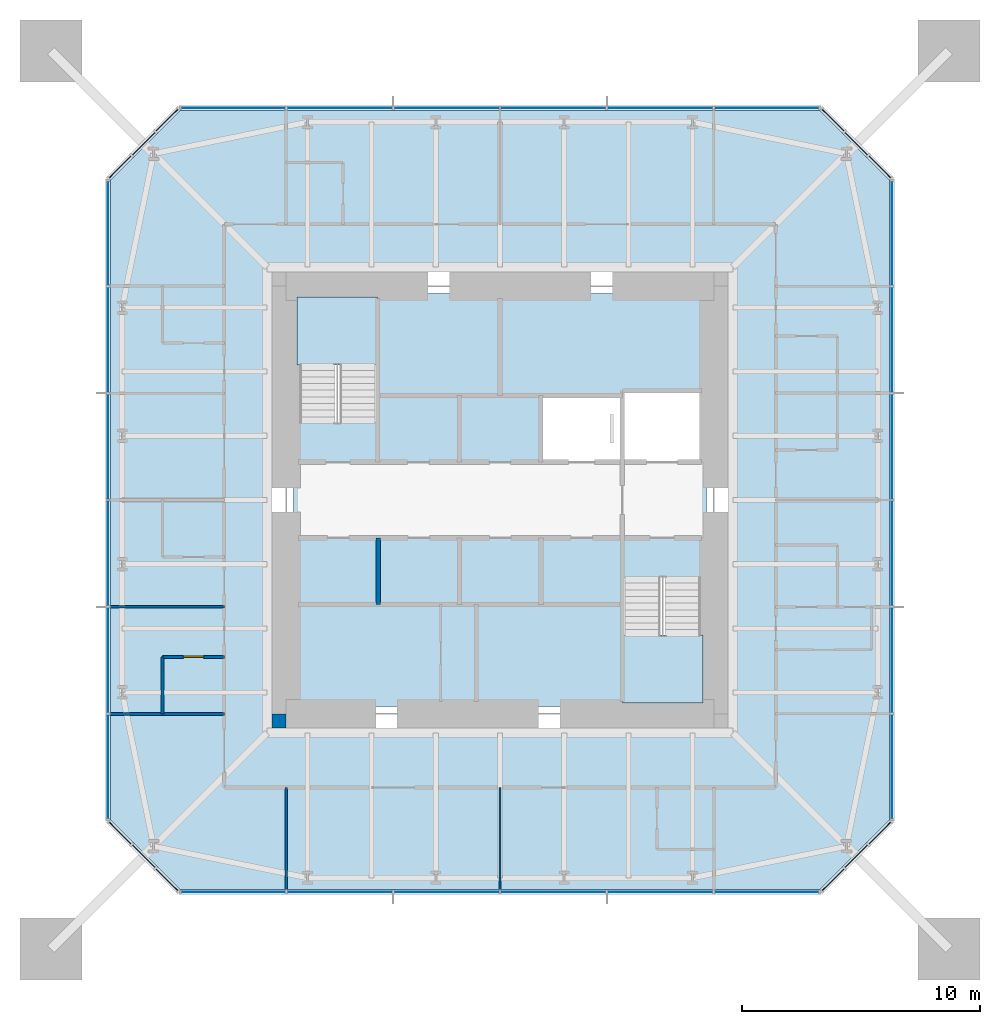
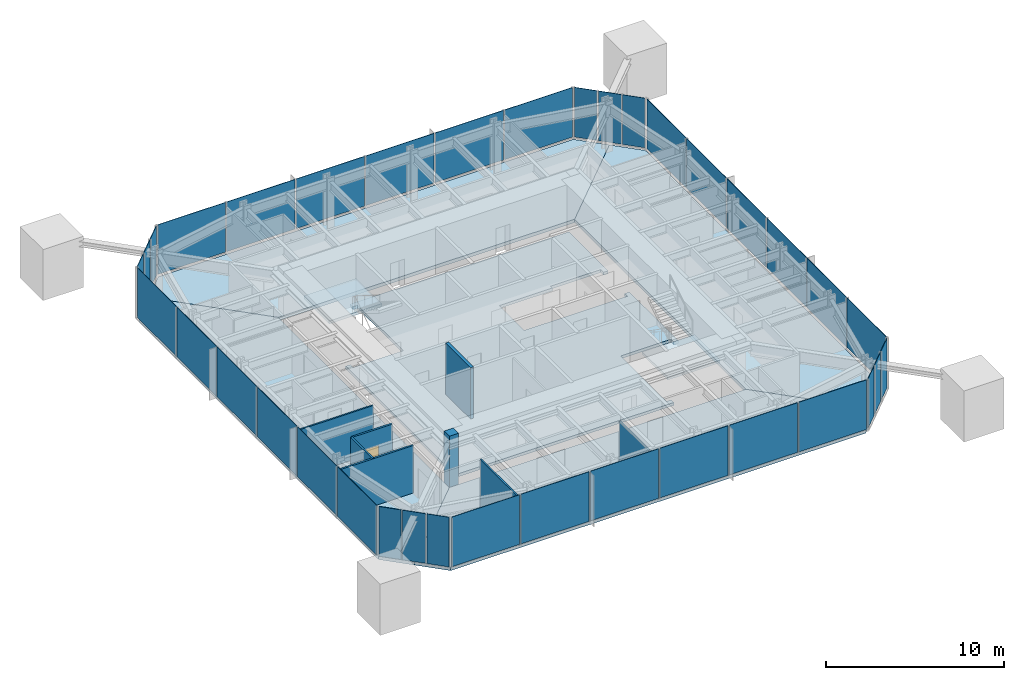
# One storey, part 5 of 9: 36 plates, 8 walls, 7 slabs, 1 door, 1 opening, 10 elements without a shape of their own.
"""IFC4 building model written with IfcOpenShell, lengths in metres."""

from ifc_helpers import new_model, si_unit, direction, frame, frame_2d, origin, origin_2d, place, context, subcontext, project, spatial, polyline, rectangle, outline, extrude, material, layer, layer_set, constituent, constituent_set, type_object, element, fill, aggregate, save


model = new_model("IFC4")

# Units and contexts
model_context = context("Model", 3, precision=1e-05, world=origin(), true_north=direction((0.0, 1.0)))
body_context = subcontext(model_context, "Body", "Model", "MODEL_VIEW")
ifc_project = project(units=[si_unit("LENGTHUNIT", "METRE"), si_unit("AREAUNIT", "SQUARE_METRE"), si_unit("VOLUMEUNIT", "CUBIC_METRE"), si_unit("PLANEANGLEUNIT", "RADIAN"), si_unit("MASSUNIT", "GRAM", prefix="KILO")], contexts=[model_context])

# Site, building, storey
site_placement = place(None, origin())
site = spatial("IfcSite", under=ifc_project, at=site_placement, CompositionType="ELEMENT")
building_placement = place(site_placement, origin())
building = spatial("IfcBuilding", under=site, at=building_placement, Name="Iwan Alto Co-Living Towers", CompositionType="ELEMENT")
storey_placement = place(building_placement, frame((0.0, 0.0, 264.0)))
storey = spatial("IfcBuildingStorey", under=building, at=storey_placement, Name="L72", CompositionType="ELEMENT", Elevation=264.0)

# Slab
ifc_material_1 = material(Name="Concrete f'c 30 MPa", Category="concrete")
ifc_layer_1 = layer(ifc_material_1, 0.199951171875)
ifc_layer_set_1 = layer_set([ifc_layer_1], Name="CORE FLOOR SLAB 200")
slab_type_1 = type_object("IfcSlabType", Name="CORE FLOOR SLAB 200", PredefinedType="FLOOR", material=ifc_layer_set_1)
slab_1_placement = place(storey_placement, frame((0.0, 0.0, -0.199951171875)))
element("IfcSlab", 1, at=slab_1_placement, inside=storey, type_object=slab_type_1, Name="T1 core floor L72", PredefinedType="FLOOR", context=body_context, shape_type="SweptSolid", body=[
    extrude(outline(polyline([(-8.699951171875, 3.580078125), (-8.39990234375, 3.580078125), (-8.39990234375, 3.27001953125), (-5.14990234375, 3.27001953125), (-5.14990234375, 8.39990234375), (-5.4599609375, 8.39990234375), (-5.4599609375, 8.699951171875), (8.699951171875, 8.699951171875), (8.699951171875, 4.2900390625), (8.39990234375, 4.2900390625), (8.39990234375, 4.60009765625), (5.14990234375, 4.60009765625), (5.14990234375, 4.39990234375), (1.717041015625, 4.39990234375), (1.717041015625, 1.60009765625), (5.14990234375, 1.60009765625), (8.39990234375, 1.60009765625), (8.39990234375, 1.909912109375), (8.699951171875, 1.909912109375), (8.699951171875, -3.580078125), (8.39990234375, -3.580078125), (8.39990234375, -3.27001953125), (5.14990234375, -3.27001953125), (5.14990234375, -8.39990234375), (5.4599609375, -8.39990234375), (5.4599609375, -8.699951171875), (-8.699951171875, -8.699951171875), (-8.699951171875, 3.580078125)])), origin(), (0.0, 0.0, 1.0), 0.199951171875),
])

# Curtain wall, plates
ifc_material_2 = material(Name="Bronze aluminium unitised frame", Category="aluminium")
curtain_wall_type_1 = type_object("IfcCurtainWallType", Name="CURTAIN WALL CW-A", PredefinedType="NOTDEFINED", material=ifc_material_2)
curtain_wall_1_placement = place(storey_placement, origin())
curtain_wall_1 = element("IfcCurtainWall", 2, at=curtain_wall_1_placement, inside=storey, type_object=curtain_wall_type_1, Name="T1 curtain wall S L72", PredefinedType="NOTDEFINED")
ifc_material_3 = material(Name="Bronze-tinted insulating glass", Category="glass")
ifc_layer_2 = layer(ifc_material_3, 0.031982421875)
ifc_layer_set_2 = layer_set([ifc_layer_2], Name="CW-A PANEL TINTED IGU 32")
plate_type_1 = type_object("IfcPlateType", Name="CW-A PANEL TINTED IGU 32", PredefinedType="CURTAIN_PANEL", material=ifc_layer_set_2)
plate_1_placement = place(storey_placement, frame((-11.22998046875, -16.5, 0.10009765625), z_axis=(0.0, 0.0, 1.0), x_axis=(1.0, 0.0, 0.0)))
plate_1 = element("IfcPlate", 3, at=plate_1_placement, type_object=plate_type_1, Name="CW-A panel 1.1", PredefinedType="CURTAIN_PANEL", context=body_context, shape_type="SweptSolid", body=[
    extrude(rectangle(XDim=4.3798828125, YDim=0.031982421875, at=origin_2d()), origin(), (0.0, 0.0, 1.0), 3.39990234375),
])
plate_2_placement = place(storey_placement, frame((-6.75, -16.5, 0.10009765625), z_axis=(0.0, 0.0, 1.0), x_axis=(1.0, 0.0, 0.0)))
plate_2 = element("IfcPlate", 4, at=plate_2_placement, type_object=plate_type_1, Name="CW-A panel 2.1", PredefinedType="CURTAIN_PANEL", context=body_context, shape_type="SweptSolid", body=[
    extrude(rectangle(XDim=4.419921875, YDim=0.031982421875, at=origin_2d()), origin(), (0.0, 0.0, 1.0), 3.39990234375),
])
plate_3_placement = place(storey_placement, frame((-2.25, -16.5, 0.10009765625), z_axis=(0.0, 0.0, 1.0), x_axis=(1.0, 0.0, 0.0)))
plate_3 = element("IfcPlate", 5, at=plate_3_placement, type_object=plate_type_1, Name="CW-A panel 3.1", PredefinedType="CURTAIN_PANEL", context=body_context, shape_type="SweptSolid", body=[
    extrude(rectangle(XDim=4.419921875, YDim=0.031982421875, at=origin_2d()), origin(), (0.0, 0.0, 1.0), 3.39990234375),
])
plate_4_placement = place(storey_placement, frame((2.25, -16.5, 0.10009765625), z_axis=(0.0, 0.0, 1.0), x_axis=(1.0, 0.0, 0.0)))
plate_4 = element("IfcPlate", 6, at=plate_4_placement, type_object=plate_type_1, Name="CW-A panel 4.1", PredefinedType="CURTAIN_PANEL", context=body_context, shape_type="SweptSolid", body=[
    extrude(rectangle(XDim=4.419921875, YDim=0.031982421875, at=origin_2d()), origin(), (0.0, 0.0, 1.0), 3.39990234375),
])
plate_5_placement = place(storey_placement, frame((6.75, -16.5, 0.10009765625), z_axis=(0.0, 0.0, 1.0), x_axis=(1.0, 0.0, 0.0)))
plate_5 = element("IfcPlate", 7, at=plate_5_placement, type_object=plate_type_1, Name="CW-A panel 5.1", PredefinedType="CURTAIN_PANEL", context=body_context, shape_type="SweptSolid", body=[
    extrude(rectangle(XDim=4.419921875, YDim=0.031982421875, at=origin_2d()), origin(), (0.0, 0.0, 1.0), 3.39990234375),
])
plate_6_placement = place(storey_placement, frame((11.22998046875, -16.5, 0.10009765625), z_axis=(0.0, 0.0, 1.0), x_axis=(1.0, 0.0, 0.0)))
plate_6 = element("IfcPlate", 8, at=plate_6_placement, type_object=plate_type_1, Name="CW-A panel 6.1", PredefinedType="CURTAIN_PANEL", context=body_context, shape_type="SweptSolid", body=[
    extrude(rectangle(XDim=4.3798828125, YDim=0.031982421875, at=origin_2d()), origin(), (0.0, 0.0, 1.0), 3.39990234375),
])
aggregate(curtain_wall_1, [plate_1, plate_2, plate_3, plate_4, plate_5, plate_6])

curtain_wall_2_placement = place(storey_placement, origin())
curtain_wall_2 = element("IfcCurtainWall", 9, at=curtain_wall_2_placement, inside=storey, type_object=curtain_wall_type_1, Name="T1 curtain wall E L72", PredefinedType="NOTDEFINED")
plate_7_placement = place(storey_placement, frame((16.5, -11.22998046875, 0.10009765625), z_axis=(0.0, 0.0, 1.0), x_axis=(0.0, 1.0, 0.0)))
plate_7 = element("IfcPlate", 10, at=plate_7_placement, type_object=plate_type_1, Name="CW-A panel 1.1", PredefinedType="CURTAIN_PANEL", context=body_context, shape_type="SweptSolid", body=[
    extrude(rectangle(XDim=4.3798828125, YDim=0.031982421875, at=origin_2d()), origin(), (0.0, 0.0, 1.0), 3.39990234375),
])
plate_8_placement = place(storey_placement, frame((16.5, -6.75, 0.10009765625), z_axis=(0.0, 0.0, 1.0), x_axis=(0.0, 1.0, 0.0)))
plate_8 = element("IfcPlate", 11, at=plate_8_placement, type_object=plate_type_1, Name="CW-A panel 2.1", PredefinedType="CURTAIN_PANEL", context=body_context, shape_type="SweptSolid", body=[
    extrude(rectangle(XDim=4.419921875, YDim=0.031982421875, at=origin_2d()), origin(), (0.0, 0.0, 1.0), 3.39990234375),
])
plate_9_placement = place(storey_placement, frame((16.5, -2.25, 0.10009765625), z_axis=(0.0, 0.0, 1.0), x_axis=(0.0, 1.0, 0.0)))
plate_9 = element("IfcPlate", 12, at=plate_9_placement, type_object=plate_type_1, Name="CW-A panel 3.1", PredefinedType="CURTAIN_PANEL", context=body_context, shape_type="SweptSolid", body=[
    extrude(rectangle(XDim=4.419921875, YDim=0.031982421875, at=origin_2d()), origin(), (0.0, 0.0, 1.0), 3.39990234375),
])
plate_10_placement = place(storey_placement, frame((16.5, 2.25, 0.10009765625), z_axis=(0.0, 0.0, 1.0), x_axis=(0.0, 1.0, 0.0)))
plate_10 = element("IfcPlate", 13, at=plate_10_placement, type_object=plate_type_1, Name="CW-A panel 4.1", PredefinedType="CURTAIN_PANEL", context=body_context, shape_type="SweptSolid", body=[
    extrude(rectangle(XDim=4.419921875, YDim=0.031982421875, at=origin_2d()), origin(), (0.0, 0.0, 1.0), 3.39990234375),
])
plate_11_placement = place(storey_placement, frame((16.5, 6.75, 0.10009765625), z_axis=(0.0, 0.0, 1.0), x_axis=(0.0, 1.0, 0.0)))
plate_11 = element("IfcPlate", 14, at=plate_11_placement, type_object=plate_type_1, Name="CW-A panel 5.1", PredefinedType="CURTAIN_PANEL", context=body_context, shape_type="SweptSolid", body=[
    extrude(rectangle(XDim=4.419921875, YDim=0.031982421875, at=origin_2d()), origin(), (0.0, 0.0, 1.0), 3.39990234375),
])
plate_12_placement = place(storey_placement, frame((16.5, 11.22998046875, 0.10009765625), z_axis=(0.0, 0.0, 1.0), x_axis=(0.0, 1.0, 0.0)))
plate_12 = element("IfcPlate", 15, at=plate_12_placement, type_object=plate_type_1, Name="CW-A panel 6.1", PredefinedType="CURTAIN_PANEL", context=body_context, shape_type="SweptSolid", body=[
    extrude(rectangle(XDim=4.3798828125, YDim=0.031982421875, at=origin_2d()), origin(), (0.0, 0.0, 1.0), 3.39990234375),
])
aggregate(curtain_wall_2, [plate_7, plate_8, plate_9, plate_10, plate_11, plate_12])

curtain_wall_3_placement = place(storey_placement, origin())
curtain_wall_3 = element("IfcCurtainWall", 16, at=curtain_wall_3_placement, inside=storey, type_object=curtain_wall_type_1, Name="T1 curtain wall N L72", PredefinedType="NOTDEFINED")
plate_13_placement = place(storey_placement, frame((11.22998046875, 16.5, 0.10009765625), z_axis=(0.0, 0.0, 1.0), x_axis=(-1.0, 0.0, 0.0)))
plate_13 = element("IfcPlate", 17, at=plate_13_placement, type_object=plate_type_1, Name="CW-A panel 1.1", PredefinedType="CURTAIN_PANEL", context=body_context, shape_type="SweptSolid", body=[
    extrude(rectangle(XDim=4.3798828125, YDim=0.031982421875, at=origin_2d()), origin(), (0.0, 0.0, 1.0), 3.39990234375),
])
plate_14_placement = place(storey_placement, frame((6.75, 16.5, 0.10009765625), z_axis=(0.0, 0.0, 1.0), x_axis=(-1.0, 0.0, 0.0)))
plate_14 = element("IfcPlate", 18, at=plate_14_placement, type_object=plate_type_1, Name="CW-A panel 2.1", PredefinedType="CURTAIN_PANEL", context=body_context, shape_type="SweptSolid", body=[
    extrude(rectangle(XDim=4.419921875, YDim=0.031982421875, at=origin_2d()), origin(), (0.0, 0.0, 1.0), 3.39990234375),
])
plate_15_placement = place(storey_placement, frame((2.25, 16.5, 0.10009765625), z_axis=(0.0, 0.0, 1.0), x_axis=(-1.0, 0.0, 0.0)))
plate_15 = element("IfcPlate", 19, at=plate_15_placement, type_object=plate_type_1, Name="CW-A panel 3.1", PredefinedType="CURTAIN_PANEL", context=body_context, shape_type="SweptSolid", body=[
    extrude(rectangle(XDim=4.419921875, YDim=0.031982421875, at=origin_2d()), origin(), (0.0, 0.0, 1.0), 3.39990234375),
])
plate_16_placement = place(storey_placement, frame((-2.25, 16.5, 0.10009765625), z_axis=(0.0, 0.0, 1.0), x_axis=(-1.0, 0.0, 0.0)))
plate_16 = element("IfcPlate", 20, at=plate_16_placement, type_object=plate_type_1, Name="CW-A panel 4.1", PredefinedType="CURTAIN_PANEL", context=body_context, shape_type="SweptSolid", body=[
    extrude(rectangle(XDim=4.419921875, YDim=0.031982421875, at=origin_2d()), origin(), (0.0, 0.0, 1.0), 3.39990234375),
])
plate_17_placement = place(storey_placement, frame((-6.75, 16.5, 0.10009765625), z_axis=(0.0, 0.0, 1.0), x_axis=(-1.0, 0.0, 0.0)))
plate_17 = element("IfcPlate", 21, at=plate_17_placement, type_object=plate_type_1, Name="CW-A panel 5.1", PredefinedType="CURTAIN_PANEL", context=body_context, shape_type="SweptSolid", body=[
    extrude(rectangle(XDim=4.419921875, YDim=0.031982421875, at=origin_2d()), origin(), (0.0, 0.0, 1.0), 3.39990234375),
])
plate_18_placement = place(storey_placement, frame((-11.22998046875, 16.5, 0.10009765625), z_axis=(0.0, 0.0, 1.0), x_axis=(-1.0, 0.0, 0.0)))
plate_18 = element("IfcPlate", 22, at=plate_18_placement, type_object=plate_type_1, Name="CW-A panel 6.1", PredefinedType="CURTAIN_PANEL", context=body_context, shape_type="SweptSolid", body=[
    extrude(rectangle(XDim=4.3798828125, YDim=0.031982421875, at=origin_2d()), origin(), (0.0, 0.0, 1.0), 3.39990234375),
])
aggregate(curtain_wall_3, [plate_13, plate_14, plate_15, plate_16, plate_17, plate_18])

curtain_wall_4_placement = place(storey_placement, origin())
curtain_wall_4 = element("IfcCurtainWall", 23, at=curtain_wall_4_placement, inside=storey, type_object=curtain_wall_type_1, Name="T1 curtain wall W L72", PredefinedType="NOTDEFINED")
plate_19_placement = place(storey_placement, frame((-16.5, 11.22998046875, 0.10009765625), z_axis=(0.0, 0.0, 1.0), x_axis=(0.0, -1.0, 0.0)))
plate_19 = element("IfcPlate", 24, at=plate_19_placement, type_object=plate_type_1, Name="CW-A panel 1.1", PredefinedType="CURTAIN_PANEL", context=body_context, shape_type="SweptSolid", body=[
    extrude(rectangle(XDim=4.3798828125, YDim=0.031982421875, at=origin_2d()), origin(), (0.0, 0.0, 1.0), 3.39990234375),
])
plate_20_placement = place(storey_placement, frame((-16.5, 6.75, 0.10009765625), z_axis=(0.0, 0.0, 1.0), x_axis=(0.0, -1.0, 0.0)))
plate_20 = element("IfcPlate", 25, at=plate_20_placement, type_object=plate_type_1, Name="CW-A panel 2.1", PredefinedType="CURTAIN_PANEL", context=body_context, shape_type="SweptSolid", body=[
    extrude(rectangle(XDim=4.419921875, YDim=0.031982421875, at=origin_2d()), origin(), (0.0, 0.0, 1.0), 3.39990234375),
])
plate_21_placement = place(storey_placement, frame((-16.5, 2.25, 0.10009765625), z_axis=(0.0, 0.0, 1.0), x_axis=(0.0, -1.0, 0.0)))
plate_21 = element("IfcPlate", 26, at=plate_21_placement, type_object=plate_type_1, Name="CW-A panel 3.1", PredefinedType="CURTAIN_PANEL", context=body_context, shape_type="SweptSolid", body=[
    extrude(rectangle(XDim=4.419921875, YDim=0.031982421875, at=origin_2d()), origin(), (0.0, 0.0, 1.0), 3.39990234375),
])
plate_22_placement = place(storey_placement, frame((-16.5, -2.25, 0.10009765625), z_axis=(0.0, 0.0, 1.0), x_axis=(0.0, -1.0, 0.0)))
plate_22 = element("IfcPlate", 27, at=plate_22_placement, type_object=plate_type_1, Name="CW-A panel 4.1", PredefinedType="CURTAIN_PANEL", context=body_context, shape_type="SweptSolid", body=[
    extrude(rectangle(XDim=4.419921875, YDim=0.031982421875, at=origin_2d()), origin(), (0.0, 0.0, 1.0), 3.39990234375),
])
plate_23_placement = place(storey_placement, frame((-16.5, -6.75, 0.10009765625), z_axis=(0.0, 0.0, 1.0), x_axis=(0.0, -1.0, 0.0)))
plate_23 = element("IfcPlate", 28, at=plate_23_placement, type_object=plate_type_1, Name="CW-A panel 5.1", PredefinedType="CURTAIN_PANEL", context=body_context, shape_type="SweptSolid", body=[
    extrude(rectangle(XDim=4.419921875, YDim=0.031982421875, at=origin_2d()), origin(), (0.0, 0.0, 1.0), 3.39990234375),
])
plate_24_placement = place(storey_placement, frame((-16.5, -11.22998046875, 0.10009765625), z_axis=(0.0, 0.0, 1.0), x_axis=(0.0, -1.0, 0.0)))
plate_24 = element("IfcPlate", 29, at=plate_24_placement, type_object=plate_type_1, Name="CW-A panel 6.1", PredefinedType="CURTAIN_PANEL", context=body_context, shape_type="SweptSolid", body=[
    extrude(rectangle(XDim=4.3798828125, YDim=0.031982421875, at=origin_2d()), origin(), (0.0, 0.0, 1.0), 3.39990234375),
])
aggregate(curtain_wall_4, [plate_19, plate_20, plate_21, plate_22, plate_23, plate_24])

ifc_material_4 = material(Name="Bronze aluminium unitised frame", Category="aluminium")
curtain_wall_type_2 = type_object("IfcCurtainWallType", Name="CURTAIN WALL CW-B", PredefinedType="NOTDEFINED", material=ifc_material_4)
curtain_wall_5_placement = place(storey_placement, origin())
curtain_wall_5 = element("IfcCurtainWall", 30, at=curtain_wall_5_placement, inside=storey, type_object=curtain_wall_type_2, Name="T1 chamfer curtain wall SE L72", PredefinedType="NOTDEFINED")
ifc_material_5 = material(Name="Bronze-tinted insulating glass", Category="glass")
ifc_layer_3 = layer(ifc_material_5, 0.031982421875)
ifc_layer_set_3 = layer_set([ifc_layer_3], Name="CW-B PANEL TINTED IGU 32")
plate_type_2 = type_object("IfcPlateType", Name="CW-B PANEL TINTED IGU 32", PredefinedType="CURTAIN_PANEL", material=ifc_layer_set_3)
plate_25_placement = place(storey_placement, frame((14.01416015625, -15.98583984375, 0.10009765625), z_axis=(0.0, 0.0, 1.0), x_axis=(0.707106781187, 0.707106781187, 0.0)))
plate_25 = element("IfcPlate", 31, at=plate_25_placement, type_object=plate_type_2, Name="CW-B panel 1.1", PredefinedType="CURTAIN_PANEL", context=body_context, shape_type="SweptSolid", body=[
    extrude(rectangle(XDim=1.294189453125, YDim=0.031982421875, at=origin_2d()), origin(), (0.0, 0.0, 1.0), 3.39990234375),
])
plate_26_placement = place(storey_placement, frame((15.0, -15.0, 0.10009765625), z_axis=(0.0, 0.0, 1.0), x_axis=(0.707106781187, 0.707106781187, 0.0)))
plate_26 = element("IfcPlate", 32, at=plate_26_placement, type_object=plate_type_2, Name="CW-B panel 2.1", PredefinedType="CURTAIN_PANEL", context=body_context, shape_type="SweptSolid", body=[
    extrude(rectangle(XDim=1.334228515625, YDim=0.031982421875, at=origin_2d()), origin(), (0.0, 0.0, 1.0), 3.39990234375),
])
plate_27_placement = place(storey_placement, frame((15.98583984375, -14.01416015625, 0.10009765625), z_axis=(0.0, 0.0, 1.0), x_axis=(0.707106781187, 0.707106781187, 0.0)))
plate_27 = element("IfcPlate", 33, at=plate_27_placement, type_object=plate_type_2, Name="CW-B panel 3.1", PredefinedType="CURTAIN_PANEL", context=body_context, shape_type="SweptSolid", body=[
    extrude(rectangle(XDim=1.294189453125, YDim=0.031982421875, at=origin_2d()), origin(), (0.0, 0.0, 1.0), 3.39990234375),
])
aggregate(curtain_wall_5, [plate_25, plate_26, plate_27])

curtain_wall_6_placement = place(storey_placement, origin())
curtain_wall_6 = element("IfcCurtainWall", 34, at=curtain_wall_6_placement, inside=storey, type_object=curtain_wall_type_2, Name="T1 chamfer curtain wall NE L72", PredefinedType="NOTDEFINED")
plate_28_placement = place(storey_placement, frame((15.98583984375, 14.01416015625, 0.10009765625), z_axis=(0.0, 0.0, 1.0), x_axis=(-0.707106781187, 0.707106781187, 0.0)))
plate_28 = element("IfcPlate", 35, at=plate_28_placement, type_object=plate_type_2, Name="CW-B panel 1.1", PredefinedType="CURTAIN_PANEL", context=body_context, shape_type="SweptSolid", body=[
    extrude(rectangle(XDim=1.294189453125, YDim=0.031982421875, at=origin_2d()), origin(), (0.0, 0.0, 1.0), 3.39990234375),
])
plate_29_placement = place(storey_placement, frame((15.0, 15.0, 0.10009765625), z_axis=(0.0, 0.0, 1.0), x_axis=(-0.707106781187, 0.707106781187, 0.0)))
plate_29 = element("IfcPlate", 36, at=plate_29_placement, type_object=plate_type_2, Name="CW-B panel 2.1", PredefinedType="CURTAIN_PANEL", context=body_context, shape_type="SweptSolid", body=[
    extrude(rectangle(XDim=1.334228515625, YDim=0.031982421875, at=origin_2d()), origin(), (0.0, 0.0, 1.0), 3.39990234375),
])
plate_30_placement = place(storey_placement, frame((14.01416015625, 15.98583984375, 0.10009765625), z_axis=(0.0, 0.0, 1.0), x_axis=(-0.707106781187, 0.707106781187, 0.0)))
plate_30 = element("IfcPlate", 37, at=plate_30_placement, type_object=plate_type_2, Name="CW-B panel 3.1", PredefinedType="CURTAIN_PANEL", context=body_context, shape_type="SweptSolid", body=[
    extrude(rectangle(XDim=1.294189453125, YDim=0.031982421875, at=origin_2d()), origin(), (0.0, 0.0, 1.0), 3.39990234375),
])
aggregate(curtain_wall_6, [plate_28, plate_29, plate_30])

curtain_wall_7_placement = place(storey_placement, origin())
curtain_wall_7 = element("IfcCurtainWall", 38, at=curtain_wall_7_placement, inside=storey, type_object=curtain_wall_type_2, Name="T1 chamfer curtain wall NW L72", PredefinedType="NOTDEFINED")
plate_31_placement = place(storey_placement, frame((-14.01416015625, 15.98583984375, 0.10009765625), z_axis=(0.0, 0.0, 1.0), x_axis=(-0.707106781187, -0.707106781187, 0.0)))
plate_31 = element("IfcPlate", 39, at=plate_31_placement, type_object=plate_type_2, Name="CW-B panel 1.1", PredefinedType="CURTAIN_PANEL", context=body_context, shape_type="SweptSolid", body=[
    extrude(rectangle(XDim=1.294189453125, YDim=0.031982421875, at=origin_2d()), origin(), (0.0, 0.0, 1.0), 3.39990234375),
])
plate_32_placement = place(storey_placement, frame((-15.0, 15.0, 0.10009765625), z_axis=(0.0, 0.0, 1.0), x_axis=(-0.707106781187, -0.707106781187, 0.0)))
plate_32 = element("IfcPlate", 40, at=plate_32_placement, type_object=plate_type_2, Name="CW-B panel 2.1", PredefinedType="CURTAIN_PANEL", context=body_context, shape_type="SweptSolid", body=[
    extrude(rectangle(XDim=1.334228515625, YDim=0.031982421875, at=origin_2d()), origin(), (0.0, 0.0, 1.0), 3.39990234375),
])
plate_33_placement = place(storey_placement, frame((-15.98583984375, 14.01416015625, 0.10009765625), z_axis=(0.0, 0.0, 1.0), x_axis=(-0.707106781187, -0.707106781187, 0.0)))
plate_33 = element("IfcPlate", 41, at=plate_33_placement, type_object=plate_type_2, Name="CW-B panel 3.1", PredefinedType="CURTAIN_PANEL", context=body_context, shape_type="SweptSolid", body=[
    extrude(rectangle(XDim=1.294189453125, YDim=0.031982421875, at=origin_2d()), origin(), (0.0, 0.0, 1.0), 3.39990234375),
])
aggregate(curtain_wall_7, [plate_31, plate_32, plate_33])

curtain_wall_8_placement = place(storey_placement, origin())
curtain_wall_8 = element("IfcCurtainWall", 42, at=curtain_wall_8_placement, inside=storey, type_object=curtain_wall_type_2, Name="T1 chamfer curtain wall SW L72", PredefinedType="NOTDEFINED")
plate_34_placement = place(storey_placement, frame((-15.98583984375, -14.01416015625, 0.10009765625), z_axis=(0.0, 0.0, 1.0), x_axis=(0.707106781187, -0.707106781187, 0.0)))
plate_34 = element("IfcPlate", 43, at=plate_34_placement, type_object=plate_type_2, Name="CW-B panel 1.1", PredefinedType="CURTAIN_PANEL", context=body_context, shape_type="SweptSolid", body=[
    extrude(rectangle(XDim=1.294189453125, YDim=0.031982421875, at=origin_2d()), origin(), (0.0, 0.0, 1.0), 3.39990234375),
])
plate_35_placement = place(storey_placement, frame((-15.0, -15.0, 0.10009765625), z_axis=(0.0, 0.0, 1.0), x_axis=(0.707106781187, -0.707106781187, 0.0)))
plate_35 = element("IfcPlate", 44, at=plate_35_placement, type_object=plate_type_2, Name="CW-B panel 2.1", PredefinedType="CURTAIN_PANEL", context=body_context, shape_type="SweptSolid", body=[
    extrude(rectangle(XDim=1.334228515625, YDim=0.031982421875, at=origin_2d()), origin(), (0.0, 0.0, 1.0), 3.39990234375),
])
plate_36_placement = place(storey_placement, frame((-14.01416015625, -15.98583984375, 0.10009765625), z_axis=(0.0, 0.0, 1.0), x_axis=(0.707106781187, -0.707106781187, 0.0)))
plate_36 = element("IfcPlate", 45, at=plate_36_placement, type_object=plate_type_2, Name="CW-B panel 3.1", PredefinedType="CURTAIN_PANEL", context=body_context, shape_type="SweptSolid", body=[
    extrude(rectangle(XDim=1.294189453125, YDim=0.031982421875, at=origin_2d()), origin(), (0.0, 0.0, 1.0), 3.39990234375),
])
aggregate(curtain_wall_8, [plate_34, plate_35, plate_36])

# Stair, slab
ifc_material_6 = material(Name="Steel ASTM A36", Category="steel")
ifc_constituent_1 = constituent(ifc_material_6, Name="Stringers", Category="LoadBearing")
ifc_material_7 = material(Name="Concrete f'c 30 MPa", Category="concrete")
ifc_constituent_2 = constituent(ifc_material_7, Name="Tread fill", Category="Finish")
ifc_constituent_set = constituent_set(constituents=[ifc_constituent_1, ifc_constituent_2], Name="STAIR 3500 TWO-FLIGHT T1 CORE")
stair_type = type_object("IfcStairType", Name="STAIR 3500 TWO-FLIGHT T1 CORE", PredefinedType="HALF_TURN_STAIR", material=ifc_constituent_set)
stair_1_placement = place(storey_placement, origin())
stair_1 = element("IfcStair", 46, at=stair_1_placement, inside=storey, type_object=stair_type, Name="Stair T1-S1 L72 to RF", PredefinedType="HALF_TURN_STAIR")
ifc_material_8 = material(Name="Concrete f'c 30 MPa", Category="concrete")
ifc_layer_4 = layer(ifc_material_8, 0.199951171875)
ifc_layer_set_4 = layer_set([ifc_layer_4], Name="STAIR LANDING 200")
slab_type_2 = type_object("IfcSlabType", Name="STAIR LANDING 200", PredefinedType="LANDING", material=ifc_layer_set_4)
slab_2_placement = place(storey_placement, frame((0.0, 0.0, 1.550048828125)))
slab_2 = element("IfcSlab", 47, at=slab_2_placement, type_object=slab_type_2, Name="T1-S1 landing 1", PredefinedType="LANDING", context=body_context, shape_type="SweptSolid", body=[
    extrude(outline(polyline([(-8.550048828125, 5.68994140625), (-8.550048828125, 8.550048828125), (-5.14990234375, 8.550048828125), (-5.14990234375, 5.68994140625), (-8.550048828125, 5.68994140625)])), origin(), (0.0, 0.0, 1.0), 0.199951171875),
])
aggregate(stair_1, [slab_2])

stair_2_placement = place(storey_placement, origin())
stair_2 = element("IfcStair", 48, at=stair_2_placement, inside=storey, type_object=stair_type, Name="Stair T1-S2 L72 to RF", PredefinedType="HALF_TURN_STAIR")
slab_3_placement = place(storey_placement, frame((0.0, 0.0, 1.550048828125)))
slab_3 = element("IfcSlab", 49, at=slab_3_placement, type_object=slab_type_2, Name="T1-S2 landing 1", PredefinedType="LANDING", context=body_context, shape_type="SweptSolid", body=[
    extrude(outline(polyline([(5.14990234375, -5.68994140625), (5.14990234375, -8.550048828125), (8.550048828125, -8.550048828125), (8.550048828125, -5.68994140625), (5.14990234375, -5.68994140625)])), origin(), (0.0, 0.0, 1.0), 0.199951171875),
])
aggregate(stair_2, [slab_3])

# Slabs
ifc_material_9 = material(Name="Concrete f'c 30 MPa", Category="concrete")
ifc_layer_5 = layer(ifc_material_9, 0.22998046875)
ifc_layer_set_5 = layer_set([ifc_layer_5], Name="T1 FLOOR SLAB 230")
slab_type_3 = type_object("IfcSlabType", Name="T1 FLOOR SLAB 230", PredefinedType="FLOOR", material=ifc_layer_set_5)
slab_4_placement = place(storey_placement, frame((0.0, 0.0, -0.22998046875)))
element("IfcSlab", 50, at=slab_4_placement, inside=storey, type_object=slab_type_3, Name="T1 floor slab L72 S pour", PredefinedType="FLOOR", context=body_context, shape_type="SweptSolid", body=[
    extrude(outline(polyline([(13.44140625, -16.39990234375), (-13.44140625, -16.39990234375), (-14.920654296875, -14.920654296875), (-9.60009765625, -9.60009765625), (9.60009765625, -9.60009765625), (14.920654296875, -14.920654296875), (13.44140625, -16.39990234375)])), origin(), (0.0, 0.0, 1.0), 0.22998046875),
])
slab_5_placement = place(storey_placement, frame((0.0, 0.0, -0.22998046875)))
element("IfcSlab", 51, at=slab_5_placement, inside=storey, type_object=slab_type_3, Name="T1 floor slab L72 E pour", PredefinedType="FLOOR", context=body_context, shape_type="SweptSolid", body=[
    extrude(outline(polyline([(16.39990234375, 13.44140625), (16.39990234375, -13.44140625), (14.920654296875, -14.920654296875), (9.60009765625, -9.60009765625), (9.60009765625, 9.60009765625), (14.920654296875, 14.920654296875), (16.39990234375, 13.44140625)])), origin(), (0.0, 0.0, 1.0), 0.22998046875),
])
slab_6_placement = place(storey_placement, frame((0.0, 0.0, -0.22998046875)))
element("IfcSlab", 52, at=slab_6_placement, inside=storey, type_object=slab_type_3, Name="T1 floor slab L72 N pour", PredefinedType="FLOOR", context=body_context, shape_type="SweptSolid", body=[
    extrude(outline(polyline([(-13.44140625, 16.39990234375), (13.44140625, 16.39990234375), (14.920654296875, 14.920654296875), (9.60009765625, 9.60009765625), (-9.60009765625, 9.60009765625), (-14.920654296875, 14.920654296875), (-13.44140625, 16.39990234375)])), origin(), (0.0, 0.0, 1.0), 0.22998046875),
])
slab_7_placement = place(storey_placement, frame((0.0, 0.0, -0.22998046875)))
element("IfcSlab", 53, at=slab_7_placement, inside=storey, type_object=slab_type_3, Name="T1 floor slab L72 W pour", PredefinedType="FLOOR", context=body_context, shape_type="SweptSolid", body=[
    extrude(outline(polyline([(-16.39990234375, 13.44140625), (-14.920654296875, 14.920654296875), (-9.60009765625, 9.60009765625), (-9.60009765625, -9.60009765625), (-14.920654296875, -14.920654296875), (-16.39990234375, -13.44140625), (-16.39990234375, 13.44140625)])), origin(), (0.0, 0.0, 1.0), 0.22998046875),
])

# Walls
ifc_material_10 = material(Name="Gypsum board")
ifc_layer_6 = layer(ifc_material_10, 0.012451171875, Name="Board", Category="Finish")
ifc_material_11 = material(Name="Steel ASTM A1003 ST33H cold-formed studs", Category="steel")
ifc_layer_7 = layer(ifc_material_11, 0.074951171875, Name="Studs", Category="Framing")
ifc_layer_8 = layer(ifc_material_10, 0.012451171875, Name="Board", Category="Finish")
ifc_layer_set_6 = layer_set([ifc_layer_6, ifc_layer_7, ifc_layer_8], Name="PARTITION 100")
wall_type_1 = type_object("IfcWallType", Name="PARTITION 100", PredefinedType="PARTITIONING", material=ifc_layer_set_6)
wall_1_placement = place(storey_placement, frame((-16.43994140625, -4.5, 0.0), z_axis=(0.0, 0.0, 1.0), x_axis=(1.0, 0.0, 0.0)))
element("IfcWall", 54, at=wall_1_placement, inside=storey, type_object=wall_type_1, Name="Partition L72", PredefinedType="PARTITIONING", context=body_context, shape_type="SweptSolid", body=[
    extrude(rectangle(XDim=4.83984375, YDim=0.10009765625, at=frame_2d((2.419921875, 0.0))), origin(), (0.0, 0.0, 1.0), 3.25),
])
wall_2_placement = place(storey_placement, frame((0.0, -16.43994140625, 0.0), z_axis=(0.0, 0.0, 1.0), x_axis=(0.0, 1.0, 0.0)))
element("IfcWall", 55, at=wall_2_placement, inside=storey, type_object=wall_type_1, Name="Partition L72", PredefinedType="PARTITIONING", context=body_context, shape_type="SweptSolid", body=[
    extrude(rectangle(XDim=4.33984375, YDim=0.10009765625, at=frame_2d((2.169921875, 0.0))), origin(), (0.0, 0.0, 1.0), 2.716552734375),
])
wall_3_placement = place(storey_placement, frame((-9.0, -16.43994140625, 0.0), z_axis=(0.0, 0.0, 1.0), x_axis=(0.0, 1.0, 0.0)))
element("IfcWall", 56, at=wall_3_placement, inside=storey, type_object=wall_type_1, Name="Partition L72", PredefinedType="PARTITIONING", context=body_context, shape_type="SweptSolid", body=[
    extrude(rectangle(XDim=4.33984375, YDim=0.10009765625, at=frame_2d((2.169921875, 0.0))), origin(), (0.0, 0.0, 1.0), 3.25),
])
ifc_material_12 = material(Name="Concrete f'c 70 MPa", Category="concrete")
ifc_layer_9 = layer(ifc_material_12, 0.199951171875)
ifc_layer_set_7 = layer_set([ifc_layer_9], Name="SHAFT WALL 200")
wall_type_2 = type_object("IfcWallType", Name="SHAFT WALL 200", PredefinedType="SOLIDWALL", material=ifc_layer_set_7)
wall_4_placement = place(storey_placement, frame((-5.125, -4.39990234375, 0.0), z_axis=(0.0, 0.0, 1.0), x_axis=(0.0, 1.0, 0.0)))
element("IfcWall", 57, at=wall_4_placement, inside=storey, type_object=wall_type_2, Name="Shaft wall L72", PredefinedType="SOLIDWALL", context=body_context, shape_type="SweptSolid", body=[
    extrude(rectangle(XDim=2.7998046875, YDim=0.199951171875, at=frame_2d((1.39990234375, 0.0))), origin(), (0.0, 0.0, 1.0), 3.5),
])
ifc_material_13 = material(Name="Concrete f'c 70 MPa", Category="concrete")
ifc_layer_10 = layer(ifc_material_13, 0.60009765625)
ifc_layer_set_8 = layer_set([ifc_layer_10], Name="T1 CORE CORNER FILL 600")
wall_type_3 = type_object("IfcWallType", Name="T1 CORE CORNER FILL 600", PredefinedType="SOLIDWALL", material=ifc_layer_set_8)
wall_5_placement = place(storey_placement, frame((-9.60009765625, -9.300048828125, 0.0), z_axis=(0.0, 0.0, 1.0), x_axis=(1.0, 0.0, 0.0)))
element("IfcWall", 58, at=wall_5_placement, inside=storey, type_object=wall_type_3, Name="T1 core corner SW L72", PredefinedType="SOLIDWALL", context=body_context, shape_type="SweptSolid", body=[
    extrude(rectangle(XDim=0.60009765625, YDim=0.60009765625, at=frame_2d((0.300048828125, 0.0))), origin(), (0.0, 0.0, 1.0), 3.5),
])
ifc_material_14 = material(Name="Cement board")
ifc_layer_11 = layer(ifc_material_14, 0.012451171875, Name="Board", Category="Finish")
ifc_layer_12 = layer(ifc_material_11, 0.094970703125, Name="Studs", Category="Framing")
ifc_layer_13 = layer(ifc_material_14, 0.012451171875, Name="Board", Category="Finish")
ifc_layer_set_9 = layer_set([ifc_layer_11, ifc_layer_12, ifc_layer_13], Name="WET AREA PARTITION 120")
wall_type_4 = type_object("IfcWallType", Name="WET AREA PARTITION 120", PredefinedType="PARTITIONING", material=ifc_layer_set_9)
wall_6_placement = place(storey_placement, frame((-16.43994140625, -9.0, 0.0), z_axis=(0.0, 0.0, 1.0), x_axis=(1.0, 0.0, 0.0)))
element("IfcWall", 59, at=wall_6_placement, inside=storey, type_object=wall_type_4, Name="Partition L72", PredefinedType="PARTITIONING", context=body_context, shape_type="SweptSolid", body=[
    extrude(rectangle(XDim=4.83984375, YDim=0.1201171875, at=frame_2d((2.419921875, 0.0))), origin(), (0.0, 0.0, 1.0), 3.25),
])

# Wall, opening, door
wall_7_placement = place(storey_placement, frame((-14.199951171875, -6.60009765625, 0.0), z_axis=(0.0, 0.0, 1.0), x_axis=(1.0, 0.0, 0.0)))
wall_7 = element("IfcWall", 60, at=wall_7_placement, inside=storey, type_object=wall_type_4, Name="Partition L72", PredefinedType="PARTITIONING", context=body_context, shape_type="SweptSolid", body=[
    extrude(rectangle(XDim=2.599853515625, YDim=0.1201171875, at=frame_2d((1.2998046875, 0.0))), origin(), (0.0, 0.0, 1.0), 3.25),
])
opening_placement = place(wall_7_placement, frame((0.875, 0.0, 0.0)))
opening = element("IfcOpeningElement", 61, at=opening_placement, cuts=wall_7, Name="Opening D2", PredefinedType="OPENING", context=body_context, shape_type="SweptSolid", body=[
    extrude(rectangle(XDim=0.85009765625, YDim=2.10009765625, at=frame_2d((0.425048828125, 1.050048828125))), frame((0.0, 0.070068359375, 0.0), z_axis=(0.0, -1.0, 0.0), x_axis=(1.0, 0.0, 0.0)), (0.0, 0.0, 1.0), 0.14013671875),
])
ifc_material_15 = material(Name="Timber leaf in steel frame", Category="steel")
door_type = type_object("IfcDoorType", Name="ROOM DOOR 850X2100", OperationType="SINGLE_SWING_LEFT", PredefinedType="DOOR", material=ifc_material_15)
door_placement = place(opening_placement, origin())
door = element("IfcDoor", 62, at=door_placement, inside=storey, type_object=door_type, Name="En-suite shower room door L72", OperationType="SINGLE_SWING_RIGHT", OverallHeight=2.10009765625, OverallWidth=0.85009765625, PredefinedType="DOOR", context=body_context, shape_type="SweptSolid", body=[
    extrude(rectangle(XDim=0.85009765625, YDim=2.10009765625, at=frame_2d((0.425048828125, 1.050048828125))), frame((0.0, 0.02490234375, 0.0), z_axis=(0.0, -1.0, 0.0), x_axis=(1.0, 0.0, 0.0)), (0.0, 0.0, 1.0), 0.050048828125),
])
fill(opening, door)

# Wall
wall_8_placement = place(storey_placement, frame((-14.199951171875, -9.0, 0.0), z_axis=(0.0, 0.0, 1.0), x_axis=(0.0, 1.0, 0.0)))
element("IfcWall", 63, at=wall_8_placement, inside=storey, type_object=wall_type_4, Name="Partition L72", PredefinedType="PARTITIONING", context=body_context, shape_type="SweptSolid", body=[
    extrude(rectangle(XDim=2.39990234375, YDim=0.1201171875, at=frame_2d((1.199951171875, 0.0))), origin(), (0.0, 0.0, 1.0), 3.25),
])

save(model, "model.ifc")
